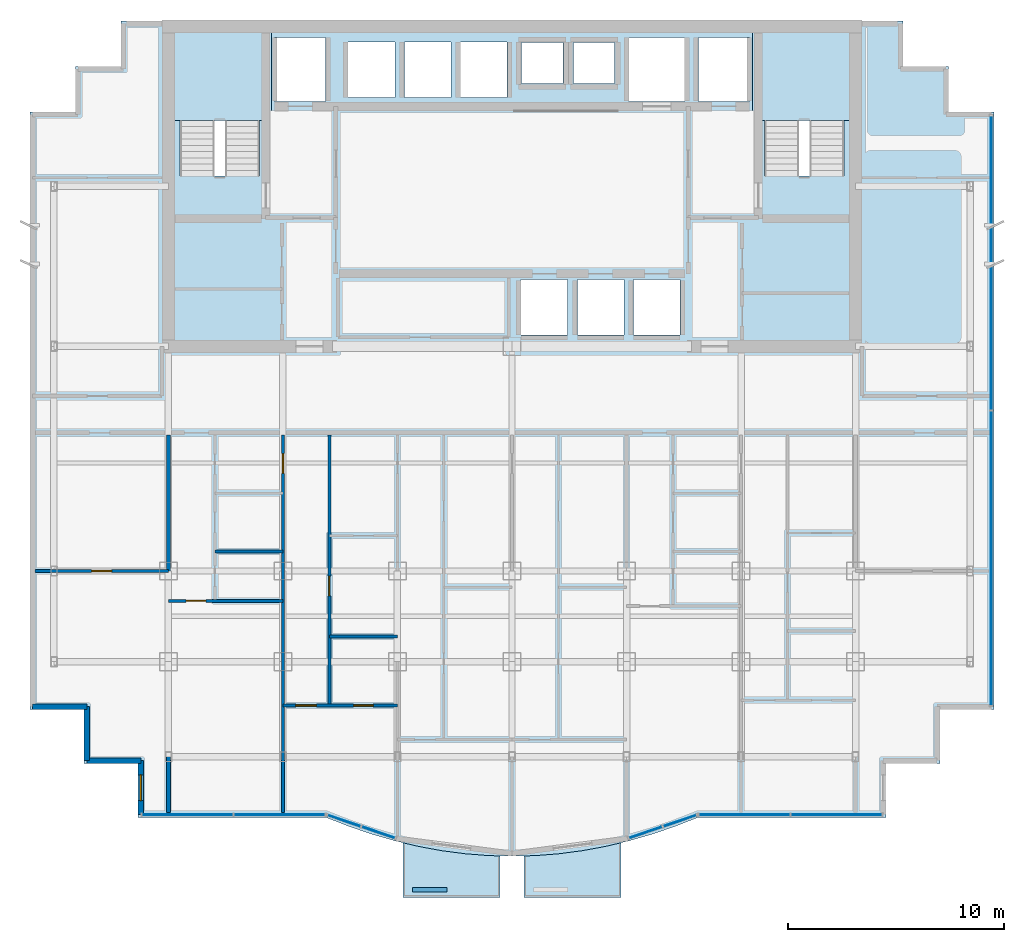
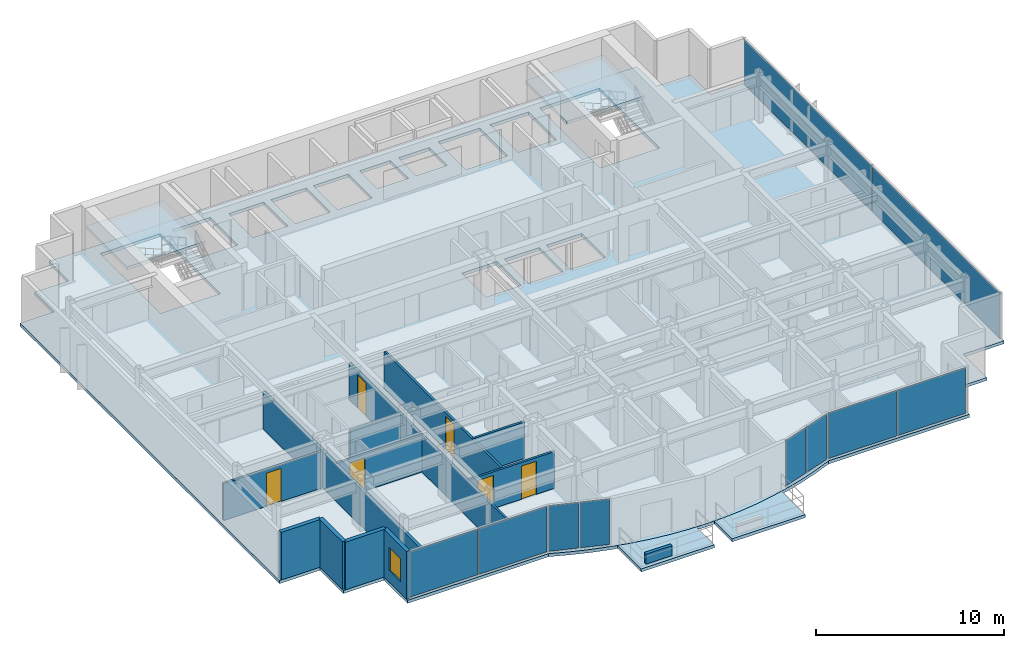
# One storey, part 7 of 13: 13 walls, 10 plates, 6 doors, 5 slabs, 1 window, 7 openings, 7 elements without a shape of their own.
"""IFC4 building model written with IfcOpenShell, lengths in metres."""

from ifc_helpers import new_model, si_unit, direction, frame, frame_2d, origin, origin_2d, place, context, subcontext, project, spatial, polyline, rectangle, outline, extrude, source, transform, mapped, material, layer, layer_set, type_object, element, fill, aggregate, save


model = new_model("IFC4")

# Units and contexts
model_context = context("Model", 3, precision=1e-05, world=origin(), true_north=direction((0.0, 1.0)))
body_context = subcontext(model_context, "Body", "Model", "MODEL_VIEW")
ifc_project = project(units=[si_unit("LENGTHUNIT", "METRE"), si_unit("AREAUNIT", "SQUARE_METRE"), si_unit("VOLUMEUNIT", "CUBIC_METRE"), si_unit("PLANEANGLEUNIT", "RADIAN"), si_unit("MASSUNIT", "GRAM", prefix="KILO")], contexts=[model_context])

# Site, building, storey
site_placement = place(None, origin())
site = spatial("IfcSite", under=ifc_project, at=site_placement, CompositionType="ELEMENT")
building_placement = place(site_placement, origin())
building = spatial("IfcBuilding", under=site, at=building_placement, Name="Qianlan Lanfeng Residences", CompositionType="ELEMENT")
storey_placement = place(building_placement, frame((0.0, 0.0, 178.800048828125)))
storey = spatial("IfcBuildingStorey", under=building, at=storey_placement, Name="L49", CompositionType="ELEMENT", Elevation=178.800048828125)

# Slabs
ifc_material_1 = material(Name="Concrete C42", Category="concrete")
ifc_layer_1 = layer(ifc_material_1, 0.199951171875)
ifc_layer_set_1 = layer_set([ifc_layer_1], Name="Concrete C42")
slab_type_1 = type_object("IfcSlabType", Name="S-BAL-200", PredefinedType="FLOOR", material=ifc_layer_set_1)
slab_1_placement = place(storey_placement, frame((0.0, 0.0, -0.199951171875)))
element("IfcSlab", 1, at=slab_1_placement, inside=storey, type_object=slab_type_1, Name="L49 Planted Tree Balcony Slab SB-W", PredefinedType="FLOOR", context=body_context, shape_type="SweptSolid", body=[
    extrude(outline(polyline([(25.949951171875, 1.614013671875), (25.422119140625, 1.6279296875), (24.344970703125, 1.712890625), (23.26708984375, 1.85302734375), (22.18994140625, 2.050048828125), (21.449951171875, 2.22412109375), (21.449951171875, -0.300048828125), (25.949951171875, -0.300048828125), (25.949951171875, 1.614013671875)])), origin(), (0.0, 0.0, 1.0), 0.199951171875),
])
slab_2_placement = place(storey_placement, frame((0.0, 0.0, -0.199951171875)))
element("IfcSlab", 2, at=slab_2_placement, inside=storey, type_object=slab_type_1, Name="L49 Planted Tree Balcony Slab SB-E", PredefinedType="FLOOR", context=body_context, shape_type="SweptSolid", body=[
    extrude(outline(polyline([(31.550048828125, 2.22412109375), (30.81005859375, 2.050048828125), (29.73193359375, 1.85302734375), (28.655029296875, 1.7119140625), (27.577880859375, 1.6279296875), (27.050048828125, 1.614013671875), (27.050048828125, -0.300048828125), (31.550048828125, -0.300048828125), (31.550048828125, 2.22412109375)])), origin(), (0.0, 0.0, 1.0), 0.199951171875),
])
ifc_layer_2 = layer(ifc_material_1, 0.199951171875)
ifc_layer_set_2 = layer_set([ifc_layer_2], Name="Concrete C42")
slab_type_2 = type_object("IfcSlabType", Name="S-FL-200", PredefinedType="FLOOR", material=ifc_layer_set_2)
slab_3_placement = place(storey_placement, frame((0.0, 0.0, -0.199951171875)))
element("IfcSlab", 3, at=slab_3_placement, inside=storey, type_object=slab_type_2, Name="L49 Structural Floor Slab", PredefinedType="FLOOR", context=body_context, shape_type="SweptSolid", body=[
    extrude(outline(polyline([(4.199951171875, 8.39990234375), (6.699951171875, 8.39990234375), (6.699951171875, 5.89990234375), (9.199951171875, 5.89990234375), (9.199951171875, 3.39990234375), (17.8798828125, 3.39990234375), (18.95703125, 2.97802734375), (20.034912109375, 2.612060546875), (21.112060546875, 2.302978515625), (22.18994140625, 2.050048828125), (23.26708984375, 1.85302734375), (24.344970703125, 1.712890625), (25.422119140625, 1.6279296875), (26.5, 1.60009765625), (27.577880859375, 1.6279296875), (28.655029296875, 1.7119140625), (29.73193359375, 1.85302734375), (30.81005859375, 2.050048828125), (31.886962890625, 2.302978515625), (32.965087890625, 2.612060546875), (34.0419921875, 2.97802734375), (35.1201171875, 3.39990234375), (43.800048828125, 3.39990234375), (43.800048828125, 5.89990234375), (46.300048828125, 5.89990234375), (46.300048828125, 8.39990234375), (48.800048828125, 8.39990234375), (48.800048828125, 36.050048828125), (46.699951171875, 36.050048828125), (46.699951171875, 38.14990234375), (44.60009765625, 38.14990234375), (44.60009765625, 40.25), (8.39990234375, 40.25), (8.39990234375, 38.14990234375), (6.300048828125, 38.14990234375), (6.300048828125, 36.050048828125), (4.199951171875, 36.050048828125), (4.199951171875, 8.39990234375)]), holes=[polyline([(11.139892578125, 33.080078125), (11.139892578125, 39.5), (14.820068359375, 39.5), (14.820068359375, 33.080078125), (11.139892578125, 33.080078125)]), polyline([(38.179931640625, 33.080078125), (38.179931640625, 39.5), (41.860107421875, 39.5), (41.860107421875, 33.080078125), (38.179931640625, 33.080078125)]), polyline([(15.52001953125, 36.52001953125), (15.52001953125, 39.47998046875), (17.8798828125, 39.47998046875), (17.8798828125, 36.52001953125), (15.52001953125, 36.52001953125)]), polyline([(35.1201171875, 36.52001953125), (35.1201171875, 39.47998046875), (37.47998046875, 39.47998046875), (37.47998046875, 36.52001953125), (35.1201171875, 36.52001953125)]), polyline([(31.919921875, 36.52001953125), (31.919921875, 39.47998046875), (34.47998046875, 39.47998046875), (34.47998046875, 36.52001953125), (31.919921875, 36.52001953125)]), polyline([(26.919921875, 25.719970703125), (26.919921875, 28.280029296875), (29.080078125, 28.280029296875), (29.080078125, 25.719970703125), (26.919921875, 25.719970703125)]), polyline([(29.52001953125, 25.719970703125), (29.52001953125, 28.280029296875), (31.679931640625, 28.280029296875), (31.679931640625, 25.719970703125), (29.52001953125, 25.719970703125)]), polyline([(32.1201171875, 25.719970703125), (32.1201171875, 28.280029296875), (34.280029296875, 28.280029296875), (34.280029296875, 25.719970703125), (32.1201171875, 25.719970703125)]), polyline([(18.919921875, 36.719970703125), (18.919921875, 39.280029296875), (21.080078125, 39.280029296875), (21.080078125, 36.719970703125), (18.919921875, 36.719970703125)]), polyline([(21.52001953125, 36.719970703125), (21.52001953125, 39.280029296875), (23.679931640625, 39.280029296875), (23.679931640625, 36.719970703125), (21.52001953125, 36.719970703125)]), polyline([(24.1201171875, 36.719970703125), (24.1201171875, 39.280029296875), (26.280029296875, 39.280029296875), (26.280029296875, 36.719970703125), (24.1201171875, 36.719970703125)]), polyline([(26.949951171875, 37.35009765625), (26.949951171875, 39.25), (28.85009765625, 39.25), (28.85009765625, 37.35009765625), (26.949951171875, 37.35009765625)]), polyline([(29.35009765625, 37.35009765625), (29.35009765625, 39.25), (31.25, 39.25), (31.25, 37.35009765625), (29.35009765625, 37.35009765625)])]), origin(), (0.0, 0.0, 1.0), 0.199951171875),
])

# Stair, slab
stair_type = type_object("IfcStairType", Name="STR-MAIN", PredefinedType="HALF_TURN_STAIR", material=ifc_material_1)
stair_1_placement = place(storey_placement, origin())
stair_1 = element("IfcStair", 4, at=stair_1_placement, inside=storey, type_object=stair_type, Name="L49 Exit Stair ST-1", PredefinedType="HALF_TURN_STAIR")
ifc_layer_3 = layer(ifc_material_1, 0.179931640625)
ifc_layer_set_3 = layer_set([ifc_layer_3], Name="Concrete C42")
slab_type_3 = type_object("IfcSlabType", Name="S-LND-180", PredefinedType="LANDING", material=ifc_layer_set_3)
slab_4_placement = place(storey_placement, frame((0.0, 0.0, 1.449951171875)))
slab_4 = element("IfcSlab", 5, at=slab_4_placement, type_object=slab_type_3, Name="ST-1 landing 1", PredefinedType="LANDING", context=body_context, shape_type="SweptSolid", body=[
    extrude(outline(polyline([(10.580078125, 35.659912109375), (15.3798828125, 35.659912109375), (15.3798828125, 40.050048828125), (10.580078125, 40.050048828125), (10.580078125, 35.659912109375)])), origin(), (0.0, 0.0, 1.0), 0.199951171875),
])
aggregate(stair_1, [slab_4])

stair_2_placement = place(storey_placement, origin())
stair_2 = element("IfcStair", 6, at=stair_2_placement, inside=storey, type_object=stair_type, Name="L49 Exit Stair ST-2", PredefinedType="HALF_TURN_STAIR")
slab_5_placement = place(storey_placement, frame((0.0, 0.0, 1.449951171875)))
slab_5 = element("IfcSlab", 7, at=slab_5_placement, type_object=slab_type_3, Name="ST-2 landing 1", PredefinedType="LANDING", context=body_context, shape_type="SweptSolid", body=[
    extrude(outline(polyline([(37.6201171875, 35.659912109375), (42.419921875, 35.659912109375), (42.419921875, 40.050048828125), (37.6201171875, 40.050048828125), (37.6201171875, 35.659912109375)])), origin(), (0.0, 0.0, 1.0), 0.199951171875),
])
aggregate(stair_2, [slab_5])

# Curtain wall, plates
ifc_material_2 = material(Name="Anodised Bronze Aluminium 6063-T6", Category="aluminium")
ifc_layer_4 = layer(ifc_material_2, 0.219970703125)
ifc_layer_set_4 = layer_set([ifc_layer_4], Name="Anodised Bronze Aluminium 6063-T6")
curtain_wall_type = type_object("IfcCurtainWallType", Name="CW-04", PredefinedType="NOTDEFINED", material=ifc_layer_set_4)
curtain_wall_1_placement = place(storey_placement, origin())
curtain_wall_1 = element("IfcCurtainWall", 8, at=curtain_wall_1_placement, inside=storey, type_object=curtain_wall_type, Name="L49 Unitised Curtain Wall CWR-L49-01 (CW-04)", PredefinedType="NOTDEFINED")
ifc_material_3 = material(Name="Dark Bronze Tinted Insulated Glass", Category="glass")
ifc_layer_5 = layer(ifc_material_3, 0.0380859375)
ifc_layer_set_5 = layer_set([ifc_layer_5], Name="Dark Bronze Tinted Insulated Glass")
plate_type_1 = type_object("IfcPlateType", Name="PNL-GLZ-BRZ", PredefinedType="CURTAIN_PANEL", material=ifc_layer_set_5)
shared_shape_1 = source(origin(), body_context, "Body", "SweptSolid", [
    extrude(rectangle(XDim=4.180908203125, YDim=0.0380859375, at=origin_2d()), origin(), (0.0, 0.0, 1.0), 2.951904296875),
])
plate_1_placement = place(storey_placement, frame((11.484619140625, 3.52001953125, 0.07421875), z_axis=(0.0, 0.0, 1.0), x_axis=(1.0, 0.0, 0.0)))
plate_1 = element("IfcPlate", 9, at=plate_1_placement, type_object=plate_type_1, Name="CWR-L49-01 Curtain Panel 1", PredefinedType="CURTAIN_PANEL", context=body_context, shape_type="MappedRepresentation", body=[
    mapped(shared_shape_1, transform((0.0, 0.0, 0.0), scale=1.0)),
])
plate_2_placement = place(storey_placement, frame((15.738525390625, 3.52001953125, 0.07421875), z_axis=(0.0, 0.0, 1.0), x_axis=(1.0, 0.0, 0.0)))
plate_2 = element("IfcPlate", 10, at=plate_2_placement, type_object=plate_type_1, Name="CWR-L49-01 Curtain Panel 2", PredefinedType="CURTAIN_PANEL", context=body_context, shape_type="MappedRepresentation", body=[
    mapped(shared_shape_1, transform((0.0, 0.0, 0.0), scale=1.0)),
])
aggregate(curtain_wall_1, [plate_1, plate_2])

# Curtain wall, plate
curtain_wall_2_placement = place(storey_placement, origin())
curtain_wall_2 = element("IfcCurtainWall", 11, at=curtain_wall_2_placement, inside=storey, type_object=curtain_wall_type, Name="L49 Unitised Curtain Wall CWR-L49-04 (CW-04)", PredefinedType="NOTDEFINED")
plate_3_placement = place(storey_placement, frame((37.261474609375, 3.52001953125, 0.07421875), z_axis=(0.0, 0.0, 1.0), x_axis=(1.0, 0.0, 0.0)))
plate_3 = element("IfcPlate", 12, at=plate_3_placement, type_object=plate_type_1, Name="CWR-L49-04 Curtain Panel 1", PredefinedType="CURTAIN_PANEL", context=body_context, shape_type="MappedRepresentation", body=[
    mapped(shared_shape_1, transform((0.0, 0.0, 0.0), scale=1.0)),
])

# Curtain wall, plates
curtain_wall_3_placement = place(storey_placement, origin())
curtain_wall_3 = element("IfcCurtainWall", 13, at=curtain_wall_3_placement, inside=storey, type_object=curtain_wall_type, Name="L49 Unitised Curtain Wall CWR-L49-02 (CW-04)", PredefinedType="NOTDEFINED")
shared_shape_2 = source(origin(), body_context, "Body", "SweptSolid", [
    extrude(rectangle(XDim=1.60009765625, YDim=0.0380859375, at=origin_2d()), origin(), (0.0, 0.0, 1.0), 2.951904296875),
])
plate_4_placement = place(storey_placement, frame((18.73046875, 3.23876953125, 0.07421875), z_axis=(0.0, 0.0, 1.0), x_axis=(0.946795963885, -0.321834433787, 0.0)))
plate_4 = element("IfcPlate", 14, at=plate_4_placement, type_object=plate_type_1, Name="CWR-L49-02 Curtain Panel 1", PredefinedType="CURTAIN_PANEL", context=body_context, shape_type="MappedRepresentation", body=[
    mapped(shared_shape_2, transform((0.0, 0.0, 0.0), scale=1.0)),
])
ifc_material_4 = material(Name="Perforated Anodised Bronze Aluminium Panel", Category="aluminium")
ifc_layer_6 = layer(ifc_material_4, 0.0419921875)
ifc_layer_set_6 = layer_set([ifc_layer_6], Name="Perforated Anodised Bronze Aluminium Panel")
plate_type_2 = type_object("IfcPlateType", Name="PNL-PRF-BRZ", PredefinedType="CURTAIN_PANEL", material=ifc_layer_set_6)
shared_shape_3 = source(origin(), body_context, "Body", "SweptSolid", [
    extrude(rectangle(XDim=1.60009765625, YDim=0.0419921875, at=origin_2d()), origin(), (0.0, 0.0, 1.0), 2.951904296875),
])
plate_5_placement = place(storey_placement, frame((20.314453125, 2.7001953125, 0.07421875), z_axis=(0.0, 0.0, 1.0), x_axis=(0.946795963885, -0.321834433787, 0.0)))
plate_5 = element("IfcPlate", 15, at=plate_5_placement, type_object=plate_type_2, Name="CWR-L49-02 Curtain Panel 2", PredefinedType="CURTAIN_PANEL", context=body_context, shape_type="MappedRepresentation", body=[
    mapped(shared_shape_3, transform((0.0, 0.0, 0.0), scale=1.0)),
])
aggregate(curtain_wall_3, [plate_4, plate_5])

curtain_wall_4_placement = place(storey_placement, origin())
curtain_wall_4 = element("IfcCurtainWall", 16, at=curtain_wall_4_placement, inside=storey, type_object=curtain_wall_type, Name="L49 Unitised Curtain Wall CWR-L49-03 (CW-04)", PredefinedType="NOTDEFINED")
shared_shape_4 = source(origin(), body_context, "Body", "SweptSolid", [
    extrude(rectangle(XDim=1.6005859375, YDim=0.0380859375, at=origin_2d()), origin(), (0.0, 0.0, 1.0), 2.951904296875),
])
plate_6_placement = place(storey_placement, frame((32.684814453125, 2.7001953125, 0.07421875), z_axis=(0.0, 0.0, 1.0), x_axis=(0.946826291861, 0.32174519894, 0.0)))
plate_6 = element("IfcPlate", 17, at=plate_6_placement, type_object=plate_type_1, Name="CWR-L49-03 Curtain Panel 1", PredefinedType="CURTAIN_PANEL", context=body_context, shape_type="MappedRepresentation", body=[
    mapped(shared_shape_4, transform((0.0, 0.0, 0.0), scale=1.0)),
])
plate_7_placement = place(storey_placement, frame((34.269287109375, 3.23876953125, 0.07421875), z_axis=(0.0, 0.0, 1.0), x_axis=(0.946826291861, 0.32174519894, 0.0)))
plate_7 = element("IfcPlate", 18, at=plate_7_placement, type_object=plate_type_1, Name="CWR-L49-03 Curtain Panel 2", PredefinedType="CURTAIN_PANEL", context=body_context, shape_type="MappedRepresentation", body=[
    mapped(shared_shape_4, transform((0.0, 0.0, 0.0), scale=1.0)),
])
aggregate(curtain_wall_4, [plate_6, plate_7])

# Plate
shared_shape_5 = source(origin(), body_context, "Body", "SweptSolid", [
    extrude(rectangle(XDim=4.180908203125, YDim=0.0419921875, at=origin_2d()), origin(), (0.0, 0.0, 1.0), 2.951904296875),
])
plate_8_placement = place(storey_placement, frame((41.515380859375, 3.52001953125, 0.07421875), z_axis=(0.0, 0.0, 1.0), x_axis=(1.0, 0.0, 0.0)))
plate_8 = element("IfcPlate", 19, at=plate_8_placement, type_object=plate_type_2, Name="CWR-L49-04 Curtain Panel 2", PredefinedType="CURTAIN_PANEL", context=body_context, shape_type="MappedRepresentation", body=[
    mapped(shared_shape_5, transform((0.0, 0.0, 0.0), scale=1.0)),
])

aggregate(curtain_wall_2, [plate_3, plate_8])

# Curtain wall, plates
curtain_wall_5_placement = place(storey_placement, origin())
curtain_wall_5 = element("IfcCurtainWall", 20, at=curtain_wall_5_placement, inside=storey, type_object=curtain_wall_type, Name="L49 Unitised Curtain Wall CWR-L49-05 (CW-04)", PredefinedType="NOTDEFINED")
shared_shape_6 = source(origin(), body_context, "Body", "SweptSolid", [
    extrude(rectangle(XDim=13.594482421875, YDim=0.0380859375, at=origin_2d()), origin(), (0.0, 0.0, 1.0), 2.951904296875),
])
plate_9_placement = place(storey_placement, frame((48.679931640625, 15.39111328125, 0.07421875), z_axis=(0.0, 0.0, 1.0), x_axis=(0.0, 1.0, 0.0)))
plate_9 = element("IfcPlate", 21, at=plate_9_placement, type_object=plate_type_1, Name="CWR-L49-05 Curtain Panel 1", PredefinedType="CURTAIN_PANEL", context=body_context, shape_type="MappedRepresentation", body=[
    mapped(shared_shape_6, transform((0.0, 0.0, 0.0), scale=1.0)),
])
plate_10_placement = place(storey_placement, frame((48.679931640625, 29.05859375, 0.07421875), z_axis=(0.0, 0.0, 1.0), x_axis=(0.0, 1.0, 0.0)))
plate_10 = element("IfcPlate", 22, at=plate_10_placement, type_object=plate_type_1, Name="CWR-L49-05 Curtain Panel 2", PredefinedType="CURTAIN_PANEL", context=body_context, shape_type="MappedRepresentation", body=[
    mapped(shared_shape_6, transform((0.0, 0.0, 0.0), scale=1.0)),
])
aggregate(curtain_wall_5, [plate_9, plate_10])

# Walls
ifc_layer_7 = layer(ifc_material_1, 0.239990234375)
ifc_layer_set_7 = layer_set([ifc_layer_7], Name="Concrete C42")
wall_type_1 = type_object("IfcWallType", Name="EW-240", PredefinedType="SOLIDWALL", material=ifc_layer_set_7)
for number, where, z_axis, x_axis, name in (
    (23, (4.320068359375, 8.52001953125, 0.0), (0.0, 0.0, 1.0), (1.0, 0.0, 0.0), "L49 Exterior Facade Spandrel Wall 1"),
    (24, (6.820068359375, 8.52001953125, 0.0), (0.0, 0.0, 1.0), (0.0, -1.0, 0.0), "L49 Exterior Facade Spandrel Wall 2"),
    (25, (6.820068359375, 6.02001953125, 0.0), (0.0, 0.0, 1.0), (1.0, 0.0, 0.0), "L49 Exterior Facade Spandrel Wall 3"),
):
    element("IfcWall", number, at=place(storey_placement, frame(where, z_axis=z_axis, x_axis=x_axis)), inside=storey, type_object=wall_type_1, Name=name, PredefinedType="SOLIDWALL", context=body_context, shape_type="SweptSolid", body=[
        extrude(rectangle(XDim=2.5, YDim=0.239990234375, at=frame_2d((1.25, 0.0))), origin(), (0.0, 0.0, 1.0), 3.099853515625),
    ])

# Wall, opening, window
wall_1_placement = place(storey_placement, frame((9.320068359375, 6.02001953125, 0.0), z_axis=(0.0, 0.0, 1.0), x_axis=(0.0, -1.0, 0.0)))
wall_1 = element("IfcWall", 26, at=wall_1_placement, inside=storey, type_object=wall_type_1, Name="L49 Exterior Facade Spandrel Wall 4", PredefinedType="SOLIDWALL", context=body_context, shape_type="SweptSolid", body=[
    extrude(rectangle(XDim=2.5, YDim=0.239990234375, at=frame_2d((1.25, 0.0))), origin(), (0.0, 0.0, 1.0), 3.099853515625),
])
opening_1_placement = place(wall_1_placement, frame((0.64990234375, 0.0, 0.75)))
opening_1 = element("IfcOpeningElement", 27, at=opening_1_placement, cuts=wall_1, Name="Opening W-03", PredefinedType="OPENING", context=body_context, shape_type="SweptSolid", body=[
    extrude(rectangle(XDim=1.199951171875, YDim=1.5, at=frame_2d((0.60009765625, 0.75))), frame((0.0, 0.1298828125, 0.0), z_axis=(0.0, -1.0, 0.0), x_axis=(1.0, 0.0, 0.0)), (0.0, 0.0, 1.0), 0.260009765625),
])
ifc_material_5 = material(Name="Anodised Bronze Aluminium Framed Double Glazing", Category="aluminium")
window_type = type_object("IfcWindowType", Name="W-03", PartitioningType="SINGLE_PANEL", PredefinedType="WINDOW", material=ifc_material_5)
window_placement = place(opening_1_placement, origin())
window = element("IfcWindow", 28, at=window_placement, inside=storey, type_object=window_type, Name="L49 Facade Punched Window W-03", OverallHeight=1.5, OverallWidth=1.199951171875, PartitioningType="SINGLE_PANEL", PredefinedType="WINDOW", context=body_context, shape_type="SweptSolid", body=[
    extrude(rectangle(XDim=1.199951171875, YDim=1.5, at=frame_2d((0.60009765625, 0.75))), frame((0.0, 0.030029296875, 0.0), z_axis=(0.0, -1.0, 0.0), x_axis=(1.0, 0.0, 0.0)), (0.0, 0.0, 1.0), 0.06005859375),
])
fill(opening_1, window)

# Wall
ifc_layer_8 = layer(ifc_material_1, 0.199951171875)
ifc_layer_set_8 = layer_set([ifc_layer_8], Name="Concrete C42")
wall_type_2 = type_object("IfcWallType", Name="PL-TREE-200", PredefinedType="PARAPET", material=ifc_layer_set_8)
wall_2_placement = place(storey_placement, frame((21.89990234375, 0.050048828125, 0.0), z_axis=(0.0, 0.0, 1.0), x_axis=(1.0, 0.0, 0.0)))
element("IfcWall", 29, at=wall_2_placement, inside=storey, type_object=wall_type_2, Name="L49 Balcony Tree Planter Curb SB-W", PredefinedType="PARAPET", context=body_context, shape_type="SweptSolid", body=[
    extrude(rectangle(XDim=1.60009765625, YDim=0.199951171875, at=frame_2d((0.800048828125, 0.0))), origin(), (0.0, 0.0, 1.0), 0.64990234375),
])

# Wall, opening, door
ifc_material_6 = material(Name="Moisture-Resistant Gypsum Partition 135 mm")
ifc_layer_9 = layer(ifc_material_6, 0.135009765625)
ifc_layer_set_9 = layer_set([ifc_layer_9], Name="Moisture-Resistant Gypsum Partition 135 mm")
wall_type_3 = type_object("IfcWallType", Name="PW-135", PredefinedType="PARTITIONING", material=ifc_layer_set_9)
wall_3_placement = place(storey_placement, frame((15.89990234375, 3.6201171875, 0.0), z_axis=(0.0, 0.0, 1.0), x_axis=(0.0, 1.0, 0.0)))
wall_3 = element("IfcWall", 30, at=wall_3_placement, inside=storey, type_object=wall_type_3, Name="L49 U01 Bay Spine Wall 1", PredefinedType="PARTITIONING", context=body_context, shape_type="SweptSolid", body=[
    extrude(rectangle(XDim=17.47998046875, YDim=0.135009765625, at=frame_2d((8.739990234375, 0.0))), origin(), (0.0, 0.0, 1.0), 2.3798828125),
])
opening_2_placement = place(wall_3_placement, frame((15.695068359375, 0.0, 0.0)))
opening_2 = element("IfcOpeningElement", 31, at=opening_2_placement, cuts=wall_3, Name="Opening L49-D17", PredefinedType="OPENING", context=body_context, shape_type="SweptSolid", body=[
    extrude(rectangle(XDim=0.919921875, YDim=2.14990234375, at=frame_2d((0.4599609375, 1.074951171875))), frame((0.0, 0.07763671875, 0.0), z_axis=(0.0, -1.0, 0.0), x_axis=(1.0, 0.0, 0.0)), (0.0, 0.0, 1.0), 0.155029296875),
])
ifc_material_7 = material(Name="Glazed Timber Kitchen/Study Door", Category="wood")
door_type_1 = type_object("IfcDoorType", Name="DT-INT", OperationType="NOTDEFINED", PredefinedType="DOOR", material=ifc_material_7)
door_1_placement = place(opening_2_placement, origin())
door_1 = element("IfcDoor", 32, at=door_1_placement, inside=storey, type_object=door_type_1, Name="L49 U01 Internal Hall Door L49-D17 (DT-INT)", OperationType="SINGLE_SWING_LEFT", OverallHeight=2.14990234375, OverallWidth=0.919921875, PredefinedType="DOOR", context=body_context, shape_type="SweptSolid", body=[
    extrude(rectangle(XDim=0.919921875, YDim=2.14990234375, at=frame_2d((0.4599609375, 1.074951171875))), frame((0.0, 0.02490234375, 0.0), z_axis=(0.0, -1.0, 0.0), x_axis=(1.0, 0.0, 0.0)), (0.0, 0.0, 1.0), 0.050048828125),
])
fill(opening_2, door_1)

wall_4_placement = place(storey_placement, frame((10.60009765625, 13.419921875, 0.0), z_axis=(0.0, 0.0, 1.0), x_axis=(1.0, 0.0, 0.0)))
wall_4 = element("IfcWall", 33, at=wall_4_placement, inside=storey, type_object=wall_type_3, Name="L49 U01 Living Divider", PredefinedType="PARTITIONING", context=body_context, shape_type="SweptSolid", body=[
    extrude(rectangle(XDim=5.2998046875, YDim=0.135009765625, at=frame_2d((2.64990234375, 0.0))), origin(), (0.0, 0.0, 1.0), 2.3798828125),
])
opening_3_placement = place(wall_4_placement, frame((0.81494140625, 0.0, 0.0)))
opening_3 = element("IfcOpeningElement", 34, at=opening_3_placement, cuts=wall_4, Name="Opening L49-D20", PredefinedType="OPENING", context=body_context, shape_type="SweptSolid", body=[
    extrude(rectangle(XDim=0.919921875, YDim=2.14990234375, at=frame_2d((0.4599609375, 1.074951171875))), frame((0.0, 0.07763671875, 0.0), z_axis=(0.0, -1.0, 0.0), x_axis=(1.0, 0.0, 0.0)), (0.0, 0.0, 1.0), 0.155029296875),
])
door_2_placement = place(opening_3_placement, origin())
door_2 = element("IfcDoor", 35, at=door_2_placement, inside=storey, type_object=door_type_1, Name="L49 U01 Living Passage Door L49-D20 (DT-INT)", OperationType="SINGLE_SWING_LEFT", OverallHeight=2.14990234375, OverallWidth=0.919921875, PredefinedType="DOOR", context=body_context, shape_type="SweptSolid", body=[
    extrude(rectangle(XDim=0.919921875, YDim=2.14990234375, at=frame_2d((0.4599609375, 1.074951171875))), frame((0.0, 0.02490234375, 0.0), z_axis=(0.0, -1.0, 0.0), x_axis=(1.0, 0.0, 0.0)), (0.0, 0.0, 1.0), 0.050048828125),
])
fill(opening_3, door_2)

# Wall
wall_5_placement = place(storey_placement, frame((12.75, 15.699951171875, 0.0), z_axis=(0.0, 0.0, 1.0), x_axis=(1.0, 0.0, 0.0)))
element("IfcWall", 36, at=wall_5_placement, inside=storey, type_object=wall_type_3, Name="L49 U01 Kitchen South Wall", PredefinedType="PARTITIONING", context=body_context, shape_type="SweptSolid", body=[
    extrude(rectangle(XDim=3.14990234375, YDim=0.135009765625, at=frame_2d((1.574951171875, 0.0))), origin(), (0.0, 0.0, 1.0), 2.3798828125),
])

# Wall, openings, doors
wall_6_placement = place(storey_placement, frame((15.89990234375, 8.573974609375, 0.0), z_axis=(0.0, 0.0, 1.0), x_axis=(1.0, 0.0, 0.0)))
wall_6 = element("IfcWall", 37, at=wall_6_placement, inside=storey, type_object=wall_type_3, Name="L49 U01 Master Bedroom North Wall", PredefinedType="PARTITIONING", context=body_context, shape_type="SweptSolid", body=[
    extrude(rectangle(XDim=5.300048828125, YDim=0.135009765625, at=frame_2d((2.64990234375, 0.0))), origin(), (0.0, 0.0, 1.0), 2.3798828125),
])
opening_4_placement = place(wall_6_placement, frame((0.60009765625, 0.0, 0.0)))
opening_4 = element("IfcOpeningElement", 38, at=opening_4_placement, cuts=wall_6, Name="Opening L49-D24", PredefinedType="OPENING", context=body_context, shape_type="SweptSolid", body=[
    extrude(rectangle(XDim=0.949951171875, YDim=2.14990234375, at=frame_2d((0.47509765625, 1.074951171875))), frame((0.0, 0.07763671875, 0.0), z_axis=(0.0, -1.0, 0.0), x_axis=(1.0, 0.0, 0.0)), (0.0, 0.0, 1.0), 0.155029296875),
])
opening_5_placement = place(wall_6_placement, frame((3.27490234375, 0.0, 0.0)))
opening_5 = element("IfcOpeningElement", 39, at=opening_5_placement, cuts=wall_6, Name="Opening L49-D25", PredefinedType="OPENING", context=body_context, shape_type="SweptSolid", body=[
    extrude(rectangle(XDim=0.89990234375, YDim=2.14990234375, at=frame_2d((0.449951171875, 1.074951171875))), frame((0.0, 0.07763671875, 0.0), z_axis=(0.0, -1.0, 0.0), x_axis=(1.0, 0.0, 0.0)), (0.0, 0.0, 1.0), 0.155029296875),
])
ifc_material_8 = material(Name="Painted Solid-Core Timber Leaf", Category="wood")
door_type_2 = type_object("IfcDoorType", Name="DT-BED", OperationType="NOTDEFINED", PredefinedType="DOOR", material=ifc_material_8)
door_3_placement = place(opening_4_placement, frame((0.949951171875, 0.0, 0.0), z_axis=(0.0, 0.0, 1.0), x_axis=(-1.0, 0.0, 0.0)))
door_3 = element("IfcDoor", 40, at=door_3_placement, inside=storey, type_object=door_type_2, Name="L49 U01 Master Bedroom Door L49-D24 (DT-BED)", OperationType="SINGLE_SWING_RIGHT", OverallHeight=2.14990234375, OverallWidth=0.949951171875, PredefinedType="DOOR", context=body_context, shape_type="SweptSolid", body=[
    extrude(rectangle(XDim=0.949951171875, YDim=2.14990234375, at=frame_2d((0.47509765625, 1.074951171875))), frame((0.0, 0.02490234375, 0.0), z_axis=(0.0, -1.0, 0.0), x_axis=(1.0, 0.0, 0.0)), (0.0, 0.0, 1.0), 0.050048828125),
])
fill(opening_4, door_3)
ifc_material_9 = material(Name="Moisture-Resistant Timber Leaf", Category="wood")
door_type_3 = type_object("IfcDoorType", Name="DT-WC", OperationType="NOTDEFINED", PredefinedType="DOOR", material=ifc_material_9)
door_4_placement = place(opening_5_placement, origin())
door_4 = element("IfcDoor", 41, at=door_4_placement, inside=storey, type_object=door_type_3, Name="L49 U01 En-Suite Bathroom Door L49-D25 (DT-WC)", OperationType="SINGLE_SWING_LEFT", OverallHeight=2.14990234375, OverallWidth=0.89990234375, PredefinedType="DOOR", context=body_context, shape_type="SweptSolid", body=[
    extrude(rectangle(XDim=0.89990234375, YDim=2.14990234375, at=frame_2d((0.449951171875, 1.074951171875))), frame((0.0, 0.02490234375, 0.0), z_axis=(0.0, -1.0, 0.0), x_axis=(1.0, 0.0, 0.0)), (0.0, 0.0, 1.0), 0.050048828125),
])
fill(opening_5, door_4)

# Wall, opening, door
wall_7_placement = place(storey_placement, frame((18.050048828125, 8.573974609375, 0.0), z_axis=(0.0, 0.0, 1.0), x_axis=(0.0, 1.0, 0.0)))
wall_7 = element("IfcWall", 42, at=wall_7_placement, inside=storey, type_object=wall_type_3, Name="L49 U01 Master Passage Wall", PredefinedType="PARTITIONING", context=body_context, shape_type="SweptSolid", body=[
    extrude(rectangle(XDim=12.526123046875, YDim=0.135009765625, at=frame_2d((6.26318359375, 0.0))), origin(), (0.0, 0.0, 1.0), 2.3798828125),
])
opening_6_placement = place(wall_7_placement, frame((5.072021484375, 0.0, 0.0)))
opening_6 = element("IfcOpeningElement", 43, at=opening_6_placement, cuts=wall_7, Name="Opening L49-D26", PredefinedType="OPENING", context=body_context, shape_type="SweptSolid", body=[
    extrude(rectangle(XDim=0.919921875, YDim=2.14990234375, at=frame_2d((0.4599609375, 1.074951171875))), frame((0.0, 0.07763671875, 0.0), z_axis=(0.0, -1.0, 0.0), x_axis=(1.0, 0.0, 0.0)), (0.0, 0.0, 1.0), 0.155029296875),
])
door_5_placement = place(opening_6_placement, origin())
door_5 = element("IfcDoor", 44, at=door_5_placement, inside=storey, type_object=door_type_1, Name="L49 U01 Wardrobe Door L49-D26 (DT-INT)", OperationType="SINGLE_SWING_RIGHT", OverallHeight=2.14990234375, OverallWidth=0.919921875, PredefinedType="DOOR", context=body_context, shape_type="SweptSolid", body=[
    extrude(rectangle(XDim=0.919921875, YDim=2.14990234375, at=frame_2d((0.4599609375, 1.074951171875))), frame((0.0, 0.02490234375, 0.0), z_axis=(0.0, -1.0, 0.0), x_axis=(1.0, 0.0, 0.0)), (0.0, 0.0, 1.0), 0.050048828125),
])
fill(opening_6, door_5)

# Wall
wall_8_placement = place(storey_placement, frame((18.050048828125, 11.77392578125, 0.0), z_axis=(0.0, 0.0, 1.0), x_axis=(1.0, 0.0, 0.0)))
element("IfcWall", 45, at=wall_8_placement, inside=storey, type_object=wall_type_3, Name="L49 U01 En-Suite North Wall", PredefinedType="PARTITIONING", context=body_context, shape_type="SweptSolid", body=[
    extrude(rectangle(XDim=3.14990234375, YDim=0.135009765625, at=frame_2d((1.574951171875, 0.0))), origin(), (0.0, 0.0, 1.0), 2.3798828125),
])

# Wall, opening, door
wall_9_placement = place(storey_placement, frame((4.419921875, 14.800048828125, 0.0), z_axis=(0.0, 0.0, 1.0), x_axis=(1.0, 0.0, 0.0)))
wall_9 = element("IfcWall", 46, at=wall_9_placement, inside=storey, type_object=wall_type_3, Name="L49 SWP Mid Partition", PredefinedType="PARTITIONING", context=body_context, shape_type="SweptSolid", body=[
    extrude(rectangle(XDim=6.18017578125, YDim=0.135009765625, at=frame_2d((3.090087890625, 0.0))), origin(), (0.0, 0.0, 1.0), 2.3798828125),
])
opening_7_placement = place(wall_9_placement, frame((2.6298828125, 0.0, 0.0)))
opening_7 = element("IfcOpeningElement", 47, at=opening_7_placement, cuts=wall_9, Name="Opening L49-D44", PredefinedType="OPENING", context=body_context, shape_type="SweptSolid", body=[
    extrude(rectangle(XDim=0.919921875, YDim=2.14990234375, at=frame_2d((0.4599609375, 1.074951171875))), frame((0.0, 0.07763671875, 0.0), z_axis=(0.0, -1.0, 0.0), x_axis=(1.0, 0.0, 0.0)), (0.0, 0.0, 1.0), 0.155029296875),
])
door_6_placement = place(opening_7_placement, origin())
door_6 = element("IfcDoor", 48, at=door_6_placement, inside=storey, type_object=door_type_1, Name="L49 SWP Inner Door L49-D44 (DT-INT)", OperationType="SINGLE_SWING_RIGHT", OverallHeight=2.14990234375, OverallWidth=0.919921875, PredefinedType="DOOR", context=body_context, shape_type="SweptSolid", body=[
    extrude(rectangle(XDim=0.919921875, YDim=2.14990234375, at=frame_2d((0.4599609375, 1.074951171875))), frame((0.0, 0.02490234375, 0.0), z_axis=(0.0, -1.0, 0.0), x_axis=(1.0, 0.0, 0.0)), (0.0, 0.0, 1.0), 0.050048828125),
])
fill(opening_7, door_6)

# Wall
ifc_material_10 = material(Name="Double-Layer Acoustic Gypsum Stud Wall 180 mm")
ifc_layer_10 = layer(ifc_material_10, 0.179931640625)
ifc_layer_set_10 = layer_set([ifc_layer_10], Name="Double-Layer Acoustic Gypsum Stud Wall 180 mm")
wall_type_4 = type_object("IfcWallType", Name="PW-180", PredefinedType="PARTITIONING", material=ifc_layer_set_10)
wall_10_placement = place(storey_placement, frame((10.60009765625, 3.6201171875, 0.0), z_axis=(0.0, 0.0, 1.0), x_axis=(0.0, 1.0, 0.0)))
element("IfcWall", 49, at=wall_10_placement, inside=storey, type_object=wall_type_4, Name="L49 Wing Boundary Party Wall W0", PredefinedType="PARTITIONING", context=body_context, shape_type="SweptSolid", body=[
    extrude(rectangle(XDim=17.47998046875, YDim=0.179931640625, at=frame_2d((8.739990234375, 0.0))), origin(), (0.0, 0.0, 1.0), 2.3798828125),
])

save(model, "model.ifc")
